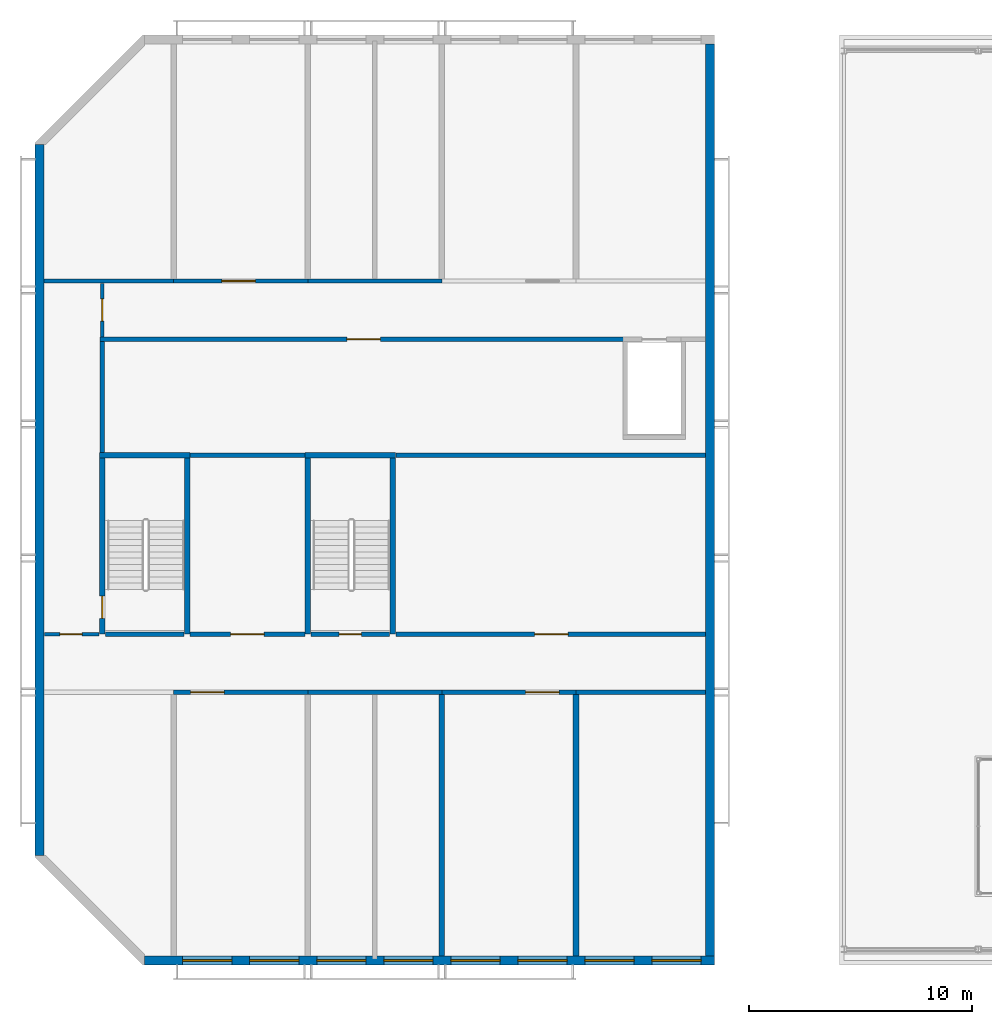
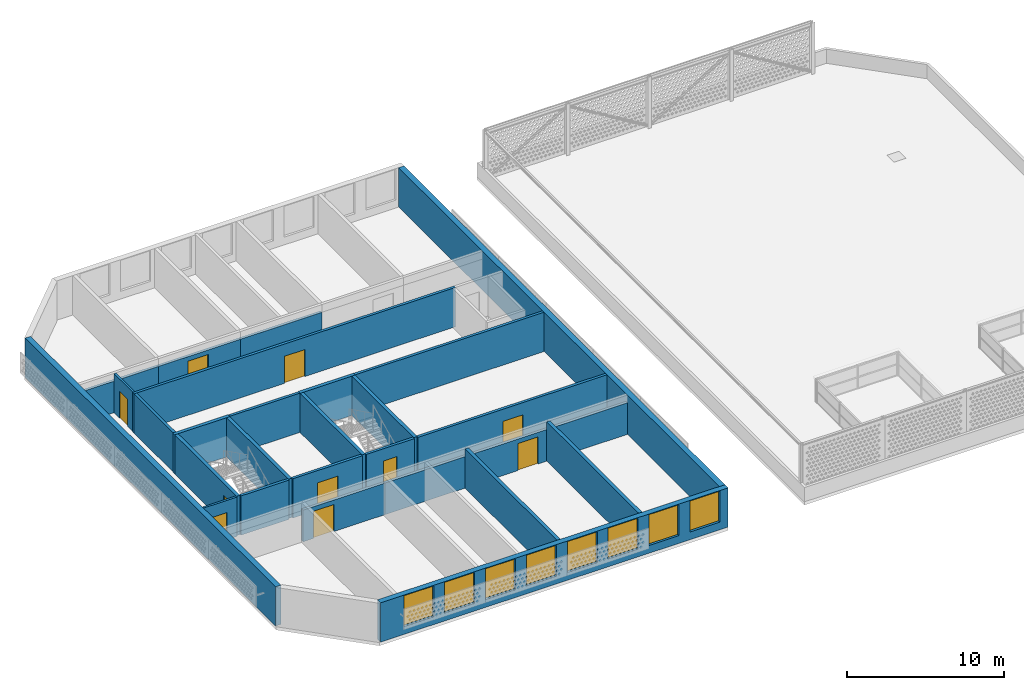
# One storey, part 8 of 18: 28 walls, 10 doors, 8 windows, 18 openings.
"""IFC4 building model written with IfcOpenShell, lengths in metres."""

from ifc_helpers import new_model, si_unit, direction, frame, frame_2d, origin, place, context, subcontext, project, spatial, rectangle, extrude, material, layer, layer_set, type_object, element, fill, save


model = new_model("IFC4")

# Units and contexts
model_context = context("Model", 3, precision=1e-05, world=origin(), true_north=direction((0.0, 1.0)))
body_context = subcontext(model_context, "Body", "Model", "MODEL_VIEW")
ifc_project = project(units=[si_unit("LENGTHUNIT", "METRE"), si_unit("AREAUNIT", "SQUARE_METRE"), si_unit("VOLUMEUNIT", "CUBIC_METRE"), si_unit("PLANEANGLEUNIT", "RADIAN"), si_unit("MASSUNIT", "GRAM", prefix="KILO")], contexts=[model_context])

# Site, building, storey
site_placement = place(None, origin())
site = spatial("IfcSite", under=ifc_project, at=site_placement, CompositionType="ELEMENT")
building_placement = place(site_placement, origin())
building = spatial("IfcBuilding", under=site, at=building_placement, Name="Poui Terraces", CompositionType="ELEMENT")
storey_placement = place(building_placement, frame((0.0, 0.0, 285.60009765625)))
storey = spatial("IfcBuildingStorey", under=building, at=storey_placement, Name="L79 CROWN", CompositionType="ELEMENT", Elevation=285.60009765625)

# Wall, opening, door
ifc_material_1 = material(Name="Fire-rated plasterboard wall")
ifc_layer_1 = layer(ifc_material_1, 0.14990234375)
ifc_layer_set_1 = layer_set([ifc_layer_1], Name="Fire-rated plasterboard wall")
wall_type_1 = type_object("IfcWallType", Name="CORRIDOR WALL 150", PredefinedType="PARTITIONING", material=ifc_layer_set_1)
wall_1_placement = place(storey_placement, frame((18.2099609375, 14.60009765625, 0.0), z_axis=(0.0, 0.0, 1.0), x_axis=(1.0, 0.0, 0.0)))
wall_1 = element("IfcWall", 1, at=wall_1_placement, inside=storey, type_object=wall_type_1, Name="CORRIDOR WALL 150", PredefinedType="PARTITIONING", context=body_context, shape_type="SweptSolid", body=[
    extrude(rectangle(XDim=2.455078125, YDim=0.14990234375, at=frame_2d((1.2275390625, 0.0))), origin(), (0.0, 0.0, 1.0), 3.0498046875),
])
opening_1_placement = place(wall_1_placement, frame((0.68994140625, 0.0, 0.0)))
opening_1 = element("IfcOpeningElement", 2, at=opening_1_placement, cuts=wall_1, Name="Opening FDL", PredefinedType="OPENING", context=body_context, shape_type="SweptSolid", body=[
    extrude(rectangle(XDim=1.0, YDim=2.10009765625, at=frame_2d((0.5, 1.050048828125))), frame((0.0, 0.0849609375, 0.0), z_axis=(0.0, -1.0, 0.0), x_axis=(1.0, 0.0, 0.0)), (0.0, 0.0, 1.0), 0.169921875),
])
ifc_material_2 = material(Name="Steel fire door", Category="steel")
door_type_1 = type_object("IfcDoorType", Name="LOBBY FIRE DOOR 1000 X 2100", OperationType="NOTDEFINED", PredefinedType="DOOR", material=ifc_material_2)
door_1_placement = place(opening_1_placement, origin())
door_1 = element("IfcDoor", 3, at=door_1_placement, inside=storey, type_object=door_type_1, Name="LOBBY FIRE DOOR 009", OperationType="SINGLE_SWING_LEFT", OverallHeight=2.10009765625, OverallWidth=1.0, PredefinedType="DOOR", context=body_context, shape_type="SweptSolid", body=[
    extrude(rectangle(XDim=1.0, YDim=2.10009765625, at=frame_2d((0.5, 1.050048828125))), frame((0.0, 0.02490234375, 0.0), z_axis=(0.0, -1.0, 0.0), x_axis=(1.0, 0.0, 0.0)), (0.0, 0.0, 1.0), 0.050048828125),
])
fill(opening_1, door_1)

wall_2_placement = place(storey_placement, frame((20.800048828125, 27.89990234375, 0.0), z_axis=(0.0, 0.0, 1.0), x_axis=(0.0, 1.0, 0.0)))
wall_2 = element("IfcWall", 4, at=wall_2_placement, inside=storey, type_object=wall_type_1, Name="CORRIDOR WALL 150", PredefinedType="PARTITIONING", context=body_context, shape_type="SweptSolid", body=[
    extrude(rectangle(XDim=2.39013671875, YDim=0.14990234375, at=frame_2d((1.195068359375, 0.0))), origin(), (0.0, 0.0, 1.0), 3.0498046875),
])
opening_2_placement = place(wall_2_placement, frame((0.699951171875, 0.0, 0.0)))
opening_2 = element("IfcOpeningElement", 5, at=opening_2_placement, cuts=wall_2, Name="Opening FDL", PredefinedType="OPENING", context=body_context, shape_type="SweptSolid", body=[
    extrude(rectangle(XDim=1.0, YDim=2.10009765625, at=frame_2d((0.5, 1.050048828125))), frame((0.0, 0.0849609375, 0.0), z_axis=(0.0, -1.0, 0.0), x_axis=(1.0, 0.0, 0.0)), (0.0, 0.0, 1.0), 0.169921875),
])
door_2_placement = place(opening_2_placement, origin())
door_2 = element("IfcDoor", 6, at=door_2_placement, inside=storey, type_object=door_type_1, Name="LOBBY FIRE DOOR 011", OperationType="SINGLE_SWING_RIGHT", OverallHeight=2.10009765625, OverallWidth=1.0, PredefinedType="DOOR", context=body_context, shape_type="SweptSolid", body=[
    extrude(rectangle(XDim=1.0, YDim=2.10009765625, at=frame_2d((0.5, 1.050048828125))), frame((0.0, 0.02490234375, 0.0), z_axis=(0.0, -1.0, 0.0), x_axis=(1.0, 0.0, 0.0)), (0.0, 0.0, 1.0), 0.050048828125),
])
fill(opening_2, door_2)

ifc_material_3 = material(Name="Concrete 50 MPa", Category="concrete")
ifc_layer_2 = layer(ifc_material_3, 0.199951171875)
ifc_layer_set_2 = layer_set([ifc_layer_2], Name="Concrete 50 MPa")
wall_type_2 = type_object("IfcWallType", Name="CORRIDOR WALL 200 50MPa", PredefinedType="SHEAR", material=ifc_layer_set_2)
wall_3_placement = place(storey_placement, frame((24.0, 12.0, 0.0), z_axis=(0.0, 0.0, 1.0), x_axis=(1.0, 0.0, 0.0)))
wall_3 = element("IfcWall", 7, at=wall_3_placement, inside=storey, type_object=wall_type_2, Name="CORRIDOR WALL LINE B BAY W2", PredefinedType="SHEAR", context=body_context, shape_type="SweptSolid", body=[
    extrude(rectangle(XDim=6.0, YDim=0.199951171875, at=frame_2d((3.0, 0.0))), origin(), (0.0, 0.0, 1.0), 2.449951171875),
])
opening_3_placement = place(wall_3_placement, frame((0.75, 0.0, 0.0)))
opening_3 = element("IfcOpeningElement", 8, at=opening_3_placement, cuts=wall_3, Name="Opening FDP", PredefinedType="OPENING", context=body_context, shape_type="SweptSolid", body=[
    extrude(rectangle(XDim=1.5, YDim=2.10009765625, at=frame_2d((0.75, 1.050048828125))), frame((0.0, 0.10986328125, 0.0), z_axis=(0.0, -1.0, 0.0), x_axis=(1.0, 0.0, 0.0)), (0.0, 0.0, 1.0), 0.219970703125),
])
door_type_2 = type_object("IfcDoorType", Name="PLANT ROOM DOOR PAIR 1500 X 2100", OperationType="DOUBLE_DOOR_SINGLE_SWING", PredefinedType="DOOR", material=ifc_material_2)
door_3_placement = place(opening_3_placement, origin())
door_3 = element("IfcDoor", 9, at=door_3_placement, inside=storey, type_object=door_type_2, Name="PLANT ROOM DOOR PAIR 005", OperationType="DOUBLE_DOOR_SINGLE_SWING", OverallHeight=2.10009765625, OverallWidth=1.5, PredefinedType="DOOR", context=body_context, shape_type="SweptSolid", body=[
    extrude(rectangle(XDim=1.5, YDim=2.10009765625, at=frame_2d((0.75, 1.050048828125))), frame((0.0, 0.02490234375, 0.0), z_axis=(0.0, -1.0, 0.0), x_axis=(1.0, 0.0, 0.0)), (0.0, 0.0, 1.0), 0.050048828125),
])
fill(opening_3, door_3)

# Wall
wall_4_placement = place(storey_placement, frame((30.0, 12.0, 0.0), z_axis=(0.0, 0.0, 1.0), x_axis=(1.0, 0.0, 0.0)))
element("IfcWall", 10, at=wall_4_placement, inside=storey, type_object=wall_type_2, Name="CORRIDOR WALL LINE B BAY W3", PredefinedType="SHEAR", context=body_context, shape_type="SweptSolid", body=[
    extrude(rectangle(XDim=6.0, YDim=0.199951171875, at=frame_2d((3.0, 0.0))), origin(), (0.0, 0.0, 1.0), 2.449951171875),
])

# Wall, opening, door
wall_5_placement = place(storey_placement, frame((36.0, 12.0, 0.0), z_axis=(0.0, 0.0, 1.0), x_axis=(1.0, 0.0, 0.0)))
wall_5 = element("IfcWall", 11, at=wall_5_placement, inside=storey, type_object=wall_type_2, Name="CORRIDOR WALL LINE B BAY W4", PredefinedType="SHEAR", context=body_context, shape_type="SweptSolid", body=[
    extrude(rectangle(XDim=6.0, YDim=0.199951171875, at=frame_2d((3.0, 0.0))), origin(), (0.0, 0.0, 1.0), 2.449951171875),
])
opening_4_placement = place(wall_5_placement, frame((3.75, 0.0, 0.0)))
opening_4 = element("IfcOpeningElement", 12, at=opening_4_placement, cuts=wall_5, Name="Opening FDP", PredefinedType="OPENING", context=body_context, shape_type="SweptSolid", body=[
    extrude(rectangle(XDim=1.5, YDim=2.10009765625, at=frame_2d((0.75, 1.050048828125))), frame((0.0, 0.10986328125, 0.0), z_axis=(0.0, -1.0, 0.0), x_axis=(1.0, 0.0, 0.0)), (0.0, 0.0, 1.0), 0.219970703125),
])
door_4_placement = place(opening_4_placement, origin())
door_4 = element("IfcDoor", 13, at=door_4_placement, inside=storey, type_object=door_type_2, Name="PLANT ROOM DOOR PAIR 007", OperationType="DOUBLE_DOOR_SINGLE_SWING", OverallHeight=2.10009765625, OverallWidth=1.5, PredefinedType="DOOR", context=body_context, shape_type="SweptSolid", body=[
    extrude(rectangle(XDim=1.5, YDim=2.10009765625, at=frame_2d((0.75, 1.050048828125))), frame((0.0, 0.02490234375, 0.0), z_axis=(0.0, -1.0, 0.0), x_axis=(1.0, 0.0, 0.0)), (0.0, 0.0, 1.0), 0.050048828125),
])
fill(opening_4, door_4)

# Walls
for number, where, z_axis, x_axis, name in (
    (14, (42.0, 12.0, 0.0), (0.0, 0.0, 1.0), (1.0, 0.0, 0.0), "CORRIDOR WALL LINE B BAY W5"),
    (15, (18.199951171875, 30.39990234375, 0.0), (0.0, 0.0, 1.0), (1.0, 0.0, 0.0), "CORRIDOR WALL LINE E BAY W1"),
):
    element("IfcWall", number, at=place(storey_placement, frame(where, z_axis=z_axis, x_axis=x_axis)), inside=storey, type_object=wall_type_2, Name=name, PredefinedType="SHEAR", context=body_context, shape_type="SweptSolid", body=[
        extrude(rectangle(XDim=5.800048828125, YDim=0.199951171875, at=frame_2d((2.89990234375, 0.0))), origin(), (0.0, 0.0, 1.0), 2.449951171875),
    ])

# Wall, opening, door
wall_6_placement = place(storey_placement, frame((24.0, 30.39990234375, 0.0), z_axis=(0.0, 0.0, 1.0), x_axis=(1.0, 0.0, 0.0)))
wall_6 = element("IfcWall", 16, at=wall_6_placement, inside=storey, type_object=wall_type_2, Name="CORRIDOR WALL LINE E BAY W2", PredefinedType="SHEAR", context=body_context, shape_type="SweptSolid", body=[
    extrude(rectangle(XDim=6.0, YDim=0.199951171875, at=frame_2d((3.0, 0.0))), origin(), (0.0, 0.0, 1.0), 2.449951171875),
])
opening_5_placement = place(wall_6_placement, frame((2.14990234375, 0.0, 0.0)))
opening_5 = element("IfcOpeningElement", 17, at=opening_5_placement, cuts=wall_6, Name="Opening FDP", PredefinedType="OPENING", context=body_context, shape_type="SweptSolid", body=[
    extrude(rectangle(XDim=1.5, YDim=2.10009765625, at=frame_2d((0.75, 1.050048828125))), frame((0.0, 0.10986328125, 0.0), z_axis=(0.0, -1.0, 0.0), x_axis=(1.0, 0.0, 0.0)), (0.0, 0.0, 1.0), 0.219970703125),
])
door_5_placement = place(opening_5_placement, frame((1.5, 0.0, 0.0), z_axis=(0.0, 0.0, 1.0), x_axis=(-1.0, 0.0, 0.0)))
door_5 = element("IfcDoor", 18, at=door_5_placement, inside=storey, type_object=door_type_2, Name="PLANT ROOM DOOR PAIR 001", OperationType="DOUBLE_DOOR_SINGLE_SWING", OverallHeight=2.10009765625, OverallWidth=1.5, PredefinedType="DOOR", context=body_context, shape_type="SweptSolid", body=[
    extrude(rectangle(XDim=1.5, YDim=2.10009765625, at=frame_2d((0.75, 1.050048828125))), frame((0.0, 0.02490234375, 0.0), z_axis=(0.0, -1.0, 0.0), x_axis=(1.0, 0.0, 0.0)), (0.0, 0.0, 1.0), 0.050048828125),
])
fill(opening_5, door_5)

# Walls
wall_7_placement = place(storey_placement, frame((30.0, 30.39990234375, 0.0), z_axis=(0.0, 0.0, 1.0), x_axis=(1.0, 0.0, 0.0)))
element("IfcWall", 19, at=wall_7_placement, inside=storey, type_object=wall_type_2, Name="CORRIDOR WALL LINE E BAY W3", PredefinedType="SHEAR", context=body_context, shape_type="SweptSolid", body=[
    extrude(rectangle(XDim=6.0, YDim=0.199951171875, at=frame_2d((3.0, 0.0))), origin(), (0.0, 0.0, 1.0), 2.449951171875),
])
ifc_layer_3 = layer(ifc_material_3, 0.25)
ifc_layer_set_3 = layer_set([ifc_layer_3], Name="Concrete 50 MPa")
wall_type_3 = type_object("IfcWallType", Name="CROSS WALL 250 50MPa", PredefinedType="SHEAR", material=ifc_layer_set_3)
for number, where, z_axis, x_axis, name in (
    (20, (36.0, 0.199951171875, 0.0), (0.0, 0.0, 1.0), (0.0, 1.0, 0.0), "CROSS WALL LINE 7 SOUTH"),
    (21, (42.0, 0.199951171875, 0.0), (0.0, 0.0, 1.0), (0.0, 1.0, 0.0), "CROSS WALL LINE 8 SOUTH"),
):
    element("IfcWall", number, at=place(storey_placement, frame(where, z_axis=z_axis, x_axis=x_axis)), inside=storey, type_object=wall_type_3, Name=name, PredefinedType="SHEAR", context=body_context, shape_type="SweptSolid", body=[
        extrude(rectangle(XDim=11.699951171875, YDim=0.25, at=frame_2d((5.85009765625, 0.0))), origin(), (0.0, 0.0, 1.0), 3.0498046875),
    ])
ifc_layer_4 = layer(ifc_material_3, 0.39990234375)
ifc_layer_set_4 = layer_set([ifc_layer_4], Name="Concrete 50 MPa")
wall_type_4 = type_object("IfcWallType", Name="END WALL 400 50MPa", PredefinedType="SHEAR", material=ifc_layer_set_4)
wall_8_placement = place(storey_placement, frame((18.0, 4.682861328125, 0.0), z_axis=(0.0, 0.0, 1.0), x_axis=(0.0, 1.0, 0.0)))
element("IfcWall", 22, at=wall_8_placement, inside=storey, type_object=wall_type_4, Name="END WALL LINE 4", PredefinedType="SHEAR", context=body_context, shape_type="SweptSolid", body=[
    extrude(rectangle(XDim=31.834228515625, YDim=0.39990234375, at=frame_2d((15.9169921875, 0.0))), origin(), (0.0, 0.0, 1.0), 3.0498046875),
])
wall_9_placement = place(storey_placement, frame((48.0, 0.199951171875, 0.0), z_axis=(0.0, 0.0, 1.0), x_axis=(0.0, 1.0, 0.0)))
element("IfcWall", 23, at=wall_9_placement, inside=storey, type_object=wall_type_4, Name="END WALL LINE 9", PredefinedType="SHEAR", context=body_context, shape_type="SweptSolid", body=[
    extrude(rectangle(XDim=40.800048828125, YDim=0.39990234375, at=frame_2d((20.39990234375, 0.0))), origin(), (0.0, 0.0, 1.0), 3.0498046875),
])

# Wall, openings, windows
ifc_material_4 = material(Name="Precast concrete 40 MPa", Category="concrete")
ifc_layer_5 = layer(ifc_material_4, 0.39990234375)
ifc_layer_set_5 = layer_set([ifc_layer_5], Name="Precast concrete 40 MPa")
wall_type_5 = type_object("IfcWallType", Name="EXTERNAL WALL 400", PredefinedType="STANDARD", material=ifc_layer_set_5)
wall_10_placement = place(storey_placement, frame((22.682861328125, 0.0, 0.0), z_axis=(0.0, 0.0, 1.0), x_axis=(1.0, 0.0, 0.0)))
wall_10 = element("IfcWall", 24, at=wall_10_placement, inside=storey, type_object=wall_type_5, Name="EXTERNAL WALL S", PredefinedType="STANDARD", context=body_context, shape_type="SweptSolid", body=[
    extrude(rectangle(XDim=25.51708984375, YDim=0.39990234375, at=frame_2d((12.758544921875, 0.0))), origin(), (0.0, 0.0, 1.0), 3.0498046875),
])
opening_6_placement = place(wall_10_placement, frame((1.71728515625, 0.0, 0.60009765625)))
opening_6 = element("IfcOpeningElement", 25, at=opening_6_placement, cuts=wall_10, Name="Opening W5", PredefinedType="OPENING", context=body_context, shape_type="SweptSolid", body=[
    extrude(rectangle(XDim=2.199951171875, YDim=2.39990234375, at=frame_2d((1.10009765625, 1.199951171875))), frame((0.0, 0.2099609375, 0.0), z_axis=(0.0, -1.0, 0.0), x_axis=(1.0, 0.0, 0.0)), (0.0, 0.0, 1.0), 0.419921875),
])
opening_7_placement = place(wall_10_placement, frame((4.71728515625, 0.0, 0.60009765625)))
opening_7 = element("IfcOpeningElement", 26, at=opening_7_placement, cuts=wall_10, Name="Opening W5", PredefinedType="OPENING", context=body_context, shape_type="SweptSolid", body=[
    extrude(rectangle(XDim=2.199951171875, YDim=2.39990234375, at=frame_2d((1.10009765625, 1.199951171875))), frame((0.0, 0.2099609375, 0.0), z_axis=(0.0, -1.0, 0.0), x_axis=(1.0, 0.0, 0.0)), (0.0, 0.0, 1.0), 0.419921875),
])
opening_8_placement = place(wall_10_placement, frame((7.71728515625, 0.0, 0.60009765625)))
opening_8 = element("IfcOpeningElement", 27, at=opening_8_placement, cuts=wall_10, Name="Opening W5", PredefinedType="OPENING", context=body_context, shape_type="SweptSolid", body=[
    extrude(rectangle(XDim=2.199951171875, YDim=2.39990234375, at=frame_2d((1.10009765625, 1.199951171875))), frame((0.0, 0.2099609375, 0.0), z_axis=(0.0, -1.0, 0.0), x_axis=(1.0, 0.0, 0.0)), (0.0, 0.0, 1.0), 0.419921875),
])
opening_9_placement = place(wall_10_placement, frame((10.71728515625, 0.0, 0.60009765625)))
opening_9 = element("IfcOpeningElement", 28, at=opening_9_placement, cuts=wall_10, Name="Opening W5", PredefinedType="OPENING", context=body_context, shape_type="SweptSolid", body=[
    extrude(rectangle(XDim=2.199951171875, YDim=2.39990234375, at=frame_2d((1.10009765625, 1.199951171875))), frame((0.0, 0.2099609375, 0.0), z_axis=(0.0, -1.0, 0.0), x_axis=(1.0, 0.0, 0.0)), (0.0, 0.0, 1.0), 0.419921875),
])
opening_10_placement = place(wall_10_placement, frame((13.71728515625, 0.0, 0.60009765625)))
opening_10 = element("IfcOpeningElement", 29, at=opening_10_placement, cuts=wall_10, Name="Opening W5", PredefinedType="OPENING", context=body_context, shape_type="SweptSolid", body=[
    extrude(rectangle(XDim=2.199951171875, YDim=2.39990234375, at=frame_2d((1.10009765625, 1.199951171875))), frame((0.0, 0.2099609375, 0.0), z_axis=(0.0, -1.0, 0.0), x_axis=(1.0, 0.0, 0.0)), (0.0, 0.0, 1.0), 0.419921875),
])
opening_11_placement = place(wall_10_placement, frame((16.71728515625, 0.0, 0.60009765625)))
opening_11 = element("IfcOpeningElement", 30, at=opening_11_placement, cuts=wall_10, Name="Opening W5", PredefinedType="OPENING", context=body_context, shape_type="SweptSolid", body=[
    extrude(rectangle(XDim=2.199951171875, YDim=2.39990234375, at=frame_2d((1.10009765625, 1.199951171875))), frame((0.0, 0.2099609375, 0.0), z_axis=(0.0, -1.0, 0.0), x_axis=(1.0, 0.0, 0.0)), (0.0, 0.0, 1.0), 0.419921875),
])
opening_12_placement = place(wall_10_placement, frame((19.71728515625, 0.0, 0.60009765625)))
opening_12 = element("IfcOpeningElement", 31, at=opening_12_placement, cuts=wall_10, Name="Opening W5", PredefinedType="OPENING", context=body_context, shape_type="SweptSolid", body=[
    extrude(rectangle(XDim=2.199951171875, YDim=2.39990234375, at=frame_2d((1.10009765625, 1.199951171875))), frame((0.0, 0.2099609375, 0.0), z_axis=(0.0, -1.0, 0.0), x_axis=(1.0, 0.0, 0.0)), (0.0, 0.0, 1.0), 0.419921875),
])
opening_13_placement = place(wall_10_placement, frame((22.71728515625, 0.0, 0.60009765625)))
opening_13 = element("IfcOpeningElement", 32, at=opening_13_placement, cuts=wall_10, Name="Opening W5", PredefinedType="OPENING", context=body_context, shape_type="SweptSolid", body=[
    extrude(rectangle(XDim=2.199951171875, YDim=2.39990234375, at=frame_2d((1.10009765625, 1.199951171875))), frame((0.0, 0.2099609375, 0.0), z_axis=(0.0, -1.0, 0.0), x_axis=(1.0, 0.0, 0.0)), (0.0, 0.0, 1.0), 0.419921875),
])
ifc_material_5 = material(Name="Clear glass in aluminium frame", Category="aluminium")
window_type = type_object("IfcWindowType", Name="WINDOW 2200X2400", PartitioningType="TRIPLE_PANEL_HORIZONTAL", PredefinedType="WINDOW", material=ifc_material_5)
window_1_placement = place(opening_6_placement, origin())
window_1 = element("IfcWindow", 33, at=window_1_placement, inside=storey, type_object=window_type, Name="W5 WINDOW", OverallHeight=2.39990234375, OverallWidth=2.199951171875, PartitioningType="TRIPLE_PANEL_HORIZONTAL", PredefinedType="WINDOW", context=body_context, shape_type="SweptSolid", body=[
    extrude(rectangle(XDim=2.199951171875, YDim=2.39990234375, at=frame_2d((1.10009765625, 1.199951171875))), frame((0.0, 0.030029296875, 0.0), z_axis=(0.0, -1.0, 0.0), x_axis=(1.0, 0.0, 0.0)), (0.0, 0.0, 1.0), 0.06005859375),
])
fill(opening_6, window_1)
window_2_placement = place(opening_7_placement, origin())
window_2 = element("IfcWindow", 34, at=window_2_placement, inside=storey, type_object=window_type, Name="W5 WINDOW", OverallHeight=2.39990234375, OverallWidth=2.199951171875, PartitioningType="TRIPLE_PANEL_HORIZONTAL", PredefinedType="WINDOW", context=body_context, shape_type="SweptSolid", body=[
    extrude(rectangle(XDim=2.199951171875, YDim=2.39990234375, at=frame_2d((1.10009765625, 1.199951171875))), frame((0.0, 0.030029296875, 0.0), z_axis=(0.0, -1.0, 0.0), x_axis=(1.0, 0.0, 0.0)), (0.0, 0.0, 1.0), 0.06005859375),
])
fill(opening_7, window_2)
window_3_placement = place(opening_8_placement, origin())
window_3 = element("IfcWindow", 35, at=window_3_placement, inside=storey, type_object=window_type, Name="W5 WINDOW", OverallHeight=2.39990234375, OverallWidth=2.199951171875, PartitioningType="TRIPLE_PANEL_HORIZONTAL", PredefinedType="WINDOW", context=body_context, shape_type="SweptSolid", body=[
    extrude(rectangle(XDim=2.199951171875, YDim=2.39990234375, at=frame_2d((1.10009765625, 1.199951171875))), frame((0.0, 0.030029296875, 0.0), z_axis=(0.0, -1.0, 0.0), x_axis=(1.0, 0.0, 0.0)), (0.0, 0.0, 1.0), 0.06005859375),
])
fill(opening_8, window_3)
window_4_placement = place(opening_9_placement, origin())
window_4 = element("IfcWindow", 36, at=window_4_placement, inside=storey, type_object=window_type, Name="W5 WINDOW", OverallHeight=2.39990234375, OverallWidth=2.199951171875, PartitioningType="TRIPLE_PANEL_HORIZONTAL", PredefinedType="WINDOW", context=body_context, shape_type="SweptSolid", body=[
    extrude(rectangle(XDim=2.199951171875, YDim=2.39990234375, at=frame_2d((1.10009765625, 1.199951171875))), frame((0.0, 0.030029296875, 0.0), z_axis=(0.0, -1.0, 0.0), x_axis=(1.0, 0.0, 0.0)), (0.0, 0.0, 1.0), 0.06005859375),
])
fill(opening_9, window_4)
window_5_placement = place(opening_10_placement, origin())
window_5 = element("IfcWindow", 37, at=window_5_placement, inside=storey, type_object=window_type, Name="W5 WINDOW", OverallHeight=2.39990234375, OverallWidth=2.199951171875, PartitioningType="TRIPLE_PANEL_HORIZONTAL", PredefinedType="WINDOW", context=body_context, shape_type="SweptSolid", body=[
    extrude(rectangle(XDim=2.199951171875, YDim=2.39990234375, at=frame_2d((1.10009765625, 1.199951171875))), frame((0.0, 0.030029296875, 0.0), z_axis=(0.0, -1.0, 0.0), x_axis=(1.0, 0.0, 0.0)), (0.0, 0.0, 1.0), 0.06005859375),
])
fill(opening_10, window_5)
window_6_placement = place(opening_11_placement, origin())
window_6 = element("IfcWindow", 38, at=window_6_placement, inside=storey, type_object=window_type, Name="W5 WINDOW", OverallHeight=2.39990234375, OverallWidth=2.199951171875, PartitioningType="TRIPLE_PANEL_HORIZONTAL", PredefinedType="WINDOW", context=body_context, shape_type="SweptSolid", body=[
    extrude(rectangle(XDim=2.199951171875, YDim=2.39990234375, at=frame_2d((1.10009765625, 1.199951171875))), frame((0.0, 0.030029296875, 0.0), z_axis=(0.0, -1.0, 0.0), x_axis=(1.0, 0.0, 0.0)), (0.0, 0.0, 1.0), 0.06005859375),
])
fill(opening_11, window_6)
window_7_placement = place(opening_12_placement, origin())
window_7 = element("IfcWindow", 39, at=window_7_placement, inside=storey, type_object=window_type, Name="W5 WINDOW", OverallHeight=2.39990234375, OverallWidth=2.199951171875, PartitioningType="TRIPLE_PANEL_HORIZONTAL", PredefinedType="WINDOW", context=body_context, shape_type="SweptSolid", body=[
    extrude(rectangle(XDim=2.199951171875, YDim=2.39990234375, at=frame_2d((1.10009765625, 1.199951171875))), frame((0.0, 0.030029296875, 0.0), z_axis=(0.0, -1.0, 0.0), x_axis=(1.0, 0.0, 0.0)), (0.0, 0.0, 1.0), 0.06005859375),
])
fill(opening_12, window_7)
window_8_placement = place(opening_13_placement, origin())
window_8 = element("IfcWindow", 40, at=window_8_placement, inside=storey, type_object=window_type, Name="W5 WINDOW", OverallHeight=2.39990234375, OverallWidth=2.199951171875, PartitioningType="TRIPLE_PANEL_HORIZONTAL", PredefinedType="WINDOW", context=body_context, shape_type="SweptSolid", body=[
    extrude(rectangle(XDim=2.199951171875, YDim=2.39990234375, at=frame_2d((1.10009765625, 1.199951171875))), frame((0.0, 0.030029296875, 0.0), z_axis=(0.0, -1.0, 0.0), x_axis=(1.0, 0.0, 0.0)), (0.0, 0.0, 1.0), 0.06005859375),
])
fill(opening_13, window_8)

# Wall, opening, door
ifc_material_6 = material(Name="Fire-rated masonry wall", Category="masonry")
ifc_layer_6 = layer(ifc_material_6, 0.199951171875)
ifc_layer_set_6 = layer_set([ifc_layer_6], Name="Fire-rated masonry wall")
wall_type_6 = type_object("IfcWallType", Name="PLANT ROOM WALL 200", PredefinedType="PARTITIONING", material=ifc_layer_set_6)
wall_11_placement = place(storey_placement, frame((24.735107421875, 14.60009765625, 0.0), z_axis=(0.0, 0.0, 1.0), x_axis=(1.0, 0.0, 0.0)))
wall_11 = element("IfcWall", 41, at=wall_11_placement, inside=storey, type_object=wall_type_6, Name="PLANT ROOM WALL 200", PredefinedType="PARTITIONING", context=body_context, shape_type="SweptSolid", body=[
    extrude(rectangle(XDim=5.1298828125, YDim=0.199951171875, at=frame_2d((2.56494140625, 0.0))), origin(), (0.0, 0.0, 1.0), 3.0498046875),
])
opening_14_placement = place(wall_11_placement, frame((1.81494140625, 0.0, 0.0)))
opening_14 = element("IfcOpeningElement", 42, at=opening_14_placement, cuts=wall_11, Name="Opening FDP", PredefinedType="OPENING", context=body_context, shape_type="SweptSolid", body=[
    extrude(rectangle(XDim=1.5, YDim=2.10009765625, at=frame_2d((0.75, 1.050048828125))), frame((0.0, 0.10986328125, 0.0), z_axis=(0.0, -1.0, 0.0), x_axis=(1.0, 0.0, 0.0)), (0.0, 0.0, 1.0), 0.219970703125),
])
door_6_placement = place(opening_14_placement, frame((1.5, 0.0, 0.0), z_axis=(0.0, 0.0, 1.0), x_axis=(-1.0, 0.0, 0.0)))
door_6 = element("IfcDoor", 43, at=door_6_placement, inside=storey, type_object=door_type_2, Name="PLANT ROOM DOOR PAIR 006", OperationType="DOUBLE_DOOR_SINGLE_SWING", OverallHeight=2.10009765625, OverallWidth=1.5, PredefinedType="DOOR", context=body_context, shape_type="SweptSolid", body=[
    extrude(rectangle(XDim=1.5, YDim=2.10009765625, at=frame_2d((0.75, 1.050048828125))), frame((0.0, 0.02490234375, 0.0), z_axis=(0.0, -1.0, 0.0), x_axis=(1.0, 0.0, 0.0)), (0.0, 0.0, 1.0), 0.050048828125),
])
fill(opening_14, door_6)

wall_12_placement = place(storey_placement, frame((33.93505859375, 14.60009765625, 0.0), z_axis=(0.0, 0.0, 1.0), x_axis=(1.0, 0.0, 0.0)))
wall_12 = element("IfcWall", 44, at=wall_12_placement, inside=storey, type_object=wall_type_6, Name="PLANT ROOM WALL 200", PredefinedType="PARTITIONING", context=body_context, shape_type="SweptSolid", body=[
    extrude(rectangle(XDim=13.85498046875, YDim=0.199951171875, at=frame_2d((6.927490234375, 0.0))), origin(), (0.0, 0.0, 1.0), 3.0498046875),
])
opening_15_placement = place(wall_12_placement, frame((6.215087890625, 0.0, 0.0)))
opening_15 = element("IfcOpeningElement", 45, at=opening_15_placement, cuts=wall_12, Name="Opening FDP", PredefinedType="OPENING", context=body_context, shape_type="SweptSolid", body=[
    extrude(rectangle(XDim=1.5, YDim=2.10009765625, at=frame_2d((0.75, 1.050048828125))), frame((0.0, 0.10986328125, 0.0), z_axis=(0.0, -1.0, 0.0), x_axis=(1.0, 0.0, 0.0)), (0.0, 0.0, 1.0), 0.219970703125),
])
door_7_placement = place(opening_15_placement, frame((1.5, 0.0, 0.0), z_axis=(0.0, 0.0, 1.0), x_axis=(-1.0, 0.0, 0.0)))
door_7 = element("IfcDoor", 46, at=door_7_placement, inside=storey, type_object=door_type_2, Name="PLANT ROOM DOOR PAIR 008", OperationType="DOUBLE_DOOR_SINGLE_SWING", OverallHeight=2.10009765625, OverallWidth=1.5, PredefinedType="DOOR", context=body_context, shape_type="SweptSolid", body=[
    extrude(rectangle(XDim=1.5, YDim=2.10009765625, at=frame_2d((0.75, 1.050048828125))), frame((0.0, 0.02490234375, 0.0), z_axis=(0.0, -1.0, 0.0), x_axis=(1.0, 0.0, 0.0)), (0.0, 0.0, 1.0), 0.050048828125),
])
fill(opening_15, door_7)

# Walls
wall_13_placement = place(storey_placement, frame((24.735107421875, 22.60009765625, 0.0), z_axis=(0.0, 0.0, 1.0), x_axis=(1.0, 0.0, 0.0)))
element("IfcWall", 47, at=wall_13_placement, inside=storey, type_object=wall_type_6, Name="PLANT ROOM WALL 200", PredefinedType="PARTITIONING", context=body_context, shape_type="SweptSolid", body=[
    extrude(rectangle(XDim=5.1298828125, YDim=0.199951171875, at=frame_2d((2.56494140625, 0.0))), origin(), (0.0, 0.0, 1.0), 3.0498046875),
])
wall_14_placement = place(storey_placement, frame((33.93505859375, 22.60009765625, 0.0), z_axis=(0.0, 0.0, 1.0), x_axis=(1.0, 0.0, 0.0)))
element("IfcWall", 48, at=wall_14_placement, inside=storey, type_object=wall_type_6, Name="PLANT ROOM WALL 200", PredefinedType="PARTITIONING", context=body_context, shape_type="SweptSolid", body=[
    extrude(rectangle(XDim=13.85498046875, YDim=0.199951171875, at=frame_2d((6.927490234375, 0.0))), origin(), (0.0, 0.0, 1.0), 3.0498046875),
])

# Wall, opening, door
wall_15_placement = place(storey_placement, frame((20.699951171875, 27.800048828125, 0.0), z_axis=(0.0, 0.0, 1.0), x_axis=(1.0, 0.0, 0.0)))
wall_15 = element("IfcWall", 49, at=wall_15_placement, inside=storey, type_object=wall_type_6, Name="PLANT ROOM WALL 200", PredefinedType="PARTITIONING", context=body_context, shape_type="SweptSolid", body=[
    extrude(rectangle(XDim=23.60009765625, YDim=0.199951171875, at=frame_2d((11.800048828125, 0.0))), origin(), (0.0, 0.0, 1.0), 3.0498046875),
])
opening_16_placement = place(wall_15_placement, frame((11.050048828125, 0.0, 0.0)))
opening_16 = element("IfcOpeningElement", 50, at=opening_16_placement, cuts=wall_15, Name="Opening FDP", PredefinedType="OPENING", context=body_context, shape_type="SweptSolid", body=[
    extrude(rectangle(XDim=1.5, YDim=2.10009765625, at=frame_2d((0.75, 1.050048828125))), frame((0.0, 0.10986328125, 0.0), z_axis=(0.0, -1.0, 0.0), x_axis=(1.0, 0.0, 0.0)), (0.0, 0.0, 1.0), 0.219970703125),
])
door_8_placement = place(opening_16_placement, origin())
door_8 = element("IfcDoor", 51, at=door_8_placement, inside=storey, type_object=door_type_2, Name="PLANT ROOM DOOR PAIR 002", OperationType="DOUBLE_DOOR_SINGLE_SWING", OverallHeight=2.10009765625, OverallWidth=1.5, PredefinedType="DOOR", context=body_context, shape_type="SweptSolid", body=[
    extrude(rectangle(XDim=1.5, YDim=2.10009765625, at=frame_2d((0.75, 1.050048828125))), frame((0.0, 0.02490234375, 0.0), z_axis=(0.0, -1.0, 0.0), x_axis=(1.0, 0.0, 0.0)), (0.0, 0.0, 1.0), 0.050048828125),
])
fill(opening_16, door_8)

# Wall
wall_16_placement = place(storey_placement, frame((20.800048828125, 22.735107421875, 0.0), z_axis=(0.0, 0.0, 1.0), x_axis=(0.0, 1.0, 0.0)))
element("IfcWall", 52, at=wall_16_placement, inside=storey, type_object=wall_type_6, Name="PLANT ROOM WALL 200", PredefinedType="PARTITIONING", context=body_context, shape_type="SweptSolid", body=[
    extrude(rectangle(XDim=4.96484375, YDim=0.199951171875, at=frame_2d((2.482421875, 0.0))), origin(), (0.0, 0.0, 1.0), 3.0498046875),
])

# Wall, opening, door
ifc_layer_7 = layer(ifc_material_3, 0.25)
ifc_layer_set_7 = layer_set([ifc_layer_7], Name="Concrete 50 MPa")
wall_type_7 = type_object("IfcWallType", Name="STAIR CORE WALL 250 50 MPA", PredefinedType="SOLIDWALL", material=ifc_layer_set_7)
wall_17_placement = place(storey_placement, frame((20.800048828125, 14.60009765625, 0.0), z_axis=(0.0, 0.0, 1.0), x_axis=(0.0, 1.0, 0.0)))
wall_17 = element("IfcWall", 53, at=wall_17_placement, inside=storey, type_object=wall_type_7, Name="STAIR CORE WALL", PredefinedType="SOLIDWALL", context=body_context, shape_type="SweptSolid", body=[
    extrude(rectangle(XDim=7.875, YDim=0.25, at=frame_2d((3.9375, 0.0))), origin(), (0.0, 0.0, 1.0), 3.0498046875),
])
opening_17_placement = place(wall_17_placement, frame((0.699951171875, 0.0, 0.0)))
opening_17 = element("IfcOpeningElement", 54, at=opening_17_placement, cuts=wall_17, Name="Opening FD60S", PredefinedType="OPENING", context=body_context, shape_type="SweptSolid", body=[
    extrude(rectangle(XDim=1.0, YDim=2.10009765625, at=frame_2d((0.5, 1.050048828125))), frame((0.0, 0.135009765625, 0.0), z_axis=(0.0, -1.0, 0.0), x_axis=(1.0, 0.0, 0.0)), (0.0, 0.0, 1.0), 0.27001953125),
])
door_type_3 = type_object("IfcDoorType", Name="STAIR DOOR 1000 X 2100", OperationType="NOTDEFINED", PredefinedType="DOOR", material=ifc_material_2)
door_9_placement = place(opening_17_placement, frame((1.0, 0.0, 0.0), z_axis=(0.0, 0.0, 1.0), x_axis=(-1.0, 0.0, 0.0)))
door_9 = element("IfcDoor", 55, at=door_9_placement, inside=storey, type_object=door_type_3, Name="STAIR DOOR 010", OperationType="SINGLE_SWING_LEFT", OverallHeight=2.10009765625, OverallWidth=1.0, PredefinedType="DOOR", context=body_context, shape_type="SweptSolid", body=[
    extrude(rectangle(XDim=1.0, YDim=2.10009765625, at=frame_2d((0.5, 1.050048828125))), frame((0.0, 0.02490234375, 0.0), z_axis=(0.0, -1.0, 0.0), x_axis=(1.0, 0.0, 0.0)), (0.0, 0.0, 1.0), 0.050048828125),
])
fill(opening_17, door_9)

# Walls
wall_18_placement = place(storey_placement, frame((24.60009765625, 14.60009765625, 0.0), z_axis=(0.0, 0.0, 1.0), x_axis=(0.0, 1.0, 0.0)))
element("IfcWall", 56, at=wall_18_placement, inside=storey, type_object=wall_type_7, Name="STAIR CORE WALL", PredefinedType="SOLIDWALL", context=body_context, shape_type="SweptSolid", body=[
    extrude(rectangle(XDim=7.875, YDim=0.25, at=frame_2d((3.9375, 0.0))), origin(), (0.0, 0.0, 1.0), 3.0498046875),
])
wall_19_placement = place(storey_placement, frame((20.675048828125, 22.60009765625, 0.0), z_axis=(0.0, 0.0, 1.0), x_axis=(1.0, 0.0, 0.0)))
element("IfcWall", 57, at=wall_19_placement, inside=storey, type_object=wall_type_7, Name="STAIR CORE WALL", PredefinedType="SOLIDWALL", context=body_context, shape_type="SweptSolid", body=[
    extrude(rectangle(XDim=4.050048828125, YDim=0.25, at=frame_2d((2.02490234375, 0.0))), origin(), (0.0, 0.0, 1.0), 3.0498046875),
])
for number, where, z_axis, x_axis, name in (
    (58, (30.0, 14.60009765625, 0.0), (0.0, 0.0, 1.0), (0.0, 1.0, 0.0), "STAIR CORE WALL"),
    (59, (33.800048828125, 14.60009765625, 0.0), (0.0, 0.0, 1.0), (0.0, 1.0, 0.0), "STAIR CORE WALL"),
):
    element("IfcWall", number, at=place(storey_placement, frame(where, z_axis=z_axis, x_axis=x_axis)), inside=storey, type_object=wall_type_7, Name=name, PredefinedType="SOLIDWALL", context=body_context, shape_type="SweptSolid", body=[
        extrude(rectangle(XDim=7.875, YDim=0.25, at=frame_2d((3.9375, 0.0))), origin(), (0.0, 0.0, 1.0), 3.0498046875),
    ])
wall_20_placement = place(storey_placement, frame((29.875, 22.60009765625, 0.0), z_axis=(0.0, 0.0, 1.0), x_axis=(1.0, 0.0, 0.0)))
element("IfcWall", 60, at=wall_20_placement, inside=storey, type_object=wall_type_7, Name="STAIR CORE WALL", PredefinedType="SOLIDWALL", context=body_context, shape_type="SweptSolid", body=[
    extrude(rectangle(XDim=4.050048828125, YDim=0.25, at=frame_2d((2.02490234375, 0.0))), origin(), (0.0, 0.0, 1.0), 3.0498046875),
])
ifc_layer_8 = layer(ifc_material_6, 0.199951171875)
ifc_layer_set_8 = layer_set([ifc_layer_8], Name="Fire-rated masonry wall")
wall_type_8 = type_object("IfcWallType", Name="STAIR WALL 200", PredefinedType="PARTITIONING", material=ifc_layer_set_8)
wall_21_placement = place(storey_placement, frame((20.93505859375, 14.60009765625, 0.0), z_axis=(0.0, 0.0, 1.0), x_axis=(1.0, 0.0, 0.0)))
element("IfcWall", 61, at=wall_21_placement, inside=storey, type_object=wall_type_8, Name="STAIR WALL 200", PredefinedType="PARTITIONING", context=body_context, shape_type="SweptSolid", body=[
    extrude(rectangle(XDim=3.530029296875, YDim=0.199951171875, at=frame_2d((1.76513671875, 0.0))), origin(), (0.0, 0.0, 1.0), 3.0498046875),
])

# Wall, opening, door
wall_22_placement = place(storey_placement, frame((30.135009765625, 14.60009765625, 0.0), z_axis=(0.0, 0.0, 1.0), x_axis=(1.0, 0.0, 0.0)))
wall_22 = element("IfcWall", 62, at=wall_22_placement, inside=storey, type_object=wall_type_8, Name="STAIR WALL 200", PredefinedType="PARTITIONING", context=body_context, shape_type="SweptSolid", body=[
    extrude(rectangle(XDim=3.530029296875, YDim=0.199951171875, at=frame_2d((1.76513671875, 0.0))), origin(), (0.0, 0.0, 1.0), 3.0498046875),
])
opening_18_placement = place(wall_22_placement, frame((1.264892578125, 0.0, 0.0)))
opening_18 = element("IfcOpeningElement", 63, at=opening_18_placement, cuts=wall_22, Name="Opening FD60S", PredefinedType="OPENING", context=body_context, shape_type="SweptSolid", body=[
    extrude(rectangle(XDim=1.0, YDim=2.10009765625, at=frame_2d((0.5, 1.050048828125))), frame((0.0, 0.10986328125, 0.0), z_axis=(0.0, -1.0, 0.0), x_axis=(1.0, 0.0, 0.0)), (0.0, 0.0, 1.0), 0.219970703125),
])
door_10_placement = place(opening_18_placement, frame((1.0, 0.0, 0.0), z_axis=(0.0, 0.0, 1.0), x_axis=(-1.0, 0.0, 0.0)))
door_10 = element("IfcDoor", 64, at=door_10_placement, inside=storey, type_object=door_type_3, Name="STAIR DOOR 012", OperationType="SINGLE_SWING_RIGHT", OverallHeight=2.10009765625, OverallWidth=1.0, PredefinedType="DOOR", context=body_context, shape_type="SweptSolid", body=[
    extrude(rectangle(XDim=1.0, YDim=2.10009765625, at=frame_2d((0.5, 1.050048828125))), frame((0.0, 0.02490234375, 0.0), z_axis=(0.0, -1.0, 0.0), x_axis=(1.0, 0.0, 0.0)), (0.0, 0.0, 1.0), 0.050048828125),
])
fill(opening_18, door_10)

save(model, "model.ifc")
